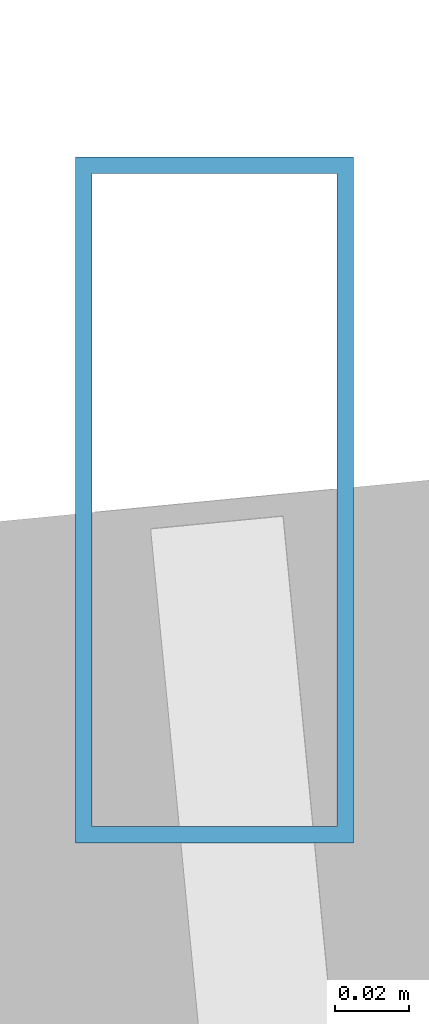
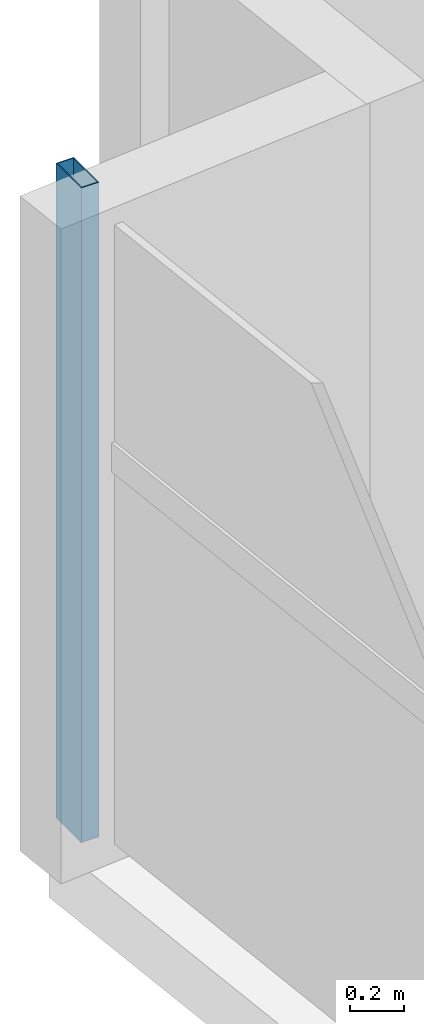
# One storey, part 8 of 27: 1 member, 1 element without a shape of its own.
"""IFC4 building model written with IfcOpenShell, lengths in metres."""

from ifc_helpers import new_model, si_unit, direction, frame, origin, origin_2d, place, context, subcontext, project, spatial, hollow_rectangle, extrude, source, transform, mapped, material, material_profile, profile_set, type_object, type_shapes, element, aggregate, save


model = new_model("IFC4")

# Units and contexts
model_context = context("Model", 3, precision=1e-05, world=origin(), true_north=direction((0.0, 1.0)))
body_context = subcontext(model_context, "Body", "Model", "MODEL_VIEW")
ifc_project = project(units=[si_unit("LENGTHUNIT", "METRE"), si_unit("AREAUNIT", "SQUARE_METRE"), si_unit("VOLUMEUNIT", "CUBIC_METRE"), si_unit("PLANEANGLEUNIT", "RADIAN"), si_unit("MASSUNIT", "GRAM", prefix="KILO")], contexts=[model_context])

# Site, building, storey
site_placement = place(None, origin())
site = spatial("IfcSite", under=ifc_project, at=site_placement, CompositionType="ELEMENT")
building_placement = place(site_placement, origin())
building = spatial("IfcBuilding", under=site, at=building_placement, Name="Astriad Promenade Condominiums", CompositionType="ELEMENT")
storey_placement = place(building_placement, frame((0.0, 0.0, 84.199951171875)))
storey = spatial("IfcBuildingStorey", under=building, at=storey_placement, Name="L23", CompositionType="ELEMENT", Elevation=84.199951171875)

# Curtain wall, member
ifc_material_1 = material(Name="Anodised aluminium Black Dark Glass Unitised", Category="aluminium")
curtain_wall_type = type_object("IfcCurtainWallType", Name="CW-B2-DARK", PredefinedType="USERDEFINED", material=ifc_material_1)
curtain_wall_placement = place(storey_placement, origin())
curtain_wall = element("IfcCurtainWall", 1, at=curtain_wall_placement, inside=storey, type_object=curtain_wall_type, Name="CW-L23-W", ObjectType="UNITISED_CURTAIN_WALL", PredefinedType="USERDEFINED")
ifc_material_2 = material(Name="Anodised aluminium 6063-T6 Black", Category="aluminium")
ifc_material_profile = material_profile(ifc_material_2, hollow_rectangle(XDim=0.074951171875, YDim=0.18505859375, WallThickness=0.00439453125, at=origin_2d()), Name="ALU-MUL-75X185")
ifc_profile_set = profile_set([ifc_material_profile], Name="Anodised aluminium 6063-T6 Black")
member_type = type_object("IfcMemberType", Name="MUL-ALU-MUL-75X185", PredefinedType="MULLION", material=ifc_profile_set)
shared_shape = source(origin(), body_context, "Body", "SweptSolid", [
    extrude(hollow_rectangle(XDim=0.074951171875, YDim=0.18505859375, WallThickness=0.00439453125, at=origin_2d()), origin(), (0.0, 0.0, 1.0), 2.93994140625),
])
type_shapes(member_type, [shared_shape])
member_placement = place(storey_placement, frame((8.94775390625, 20.921875, 0.0), z_axis=(0.0, 0.0, 1.0), x_axis=(1.0, 0.0, 0.0)))
member = element("IfcMember", 2, at=member_placement, type_object=member_type, Name="CW-L23-W-MUL-03", PredefinedType="MULLION", context=body_context, shape_type="MappedRepresentation", body=[
    mapped(shared_shape, transform((0.0, 0.0, 0.0), scale=1.0)),
])
aggregate(curtain_wall, [member])

save(model, "model.ifc")
